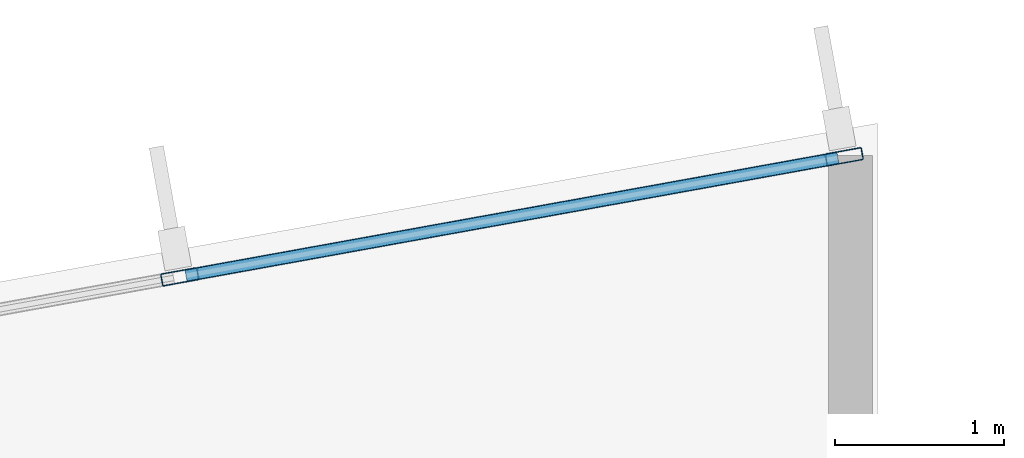
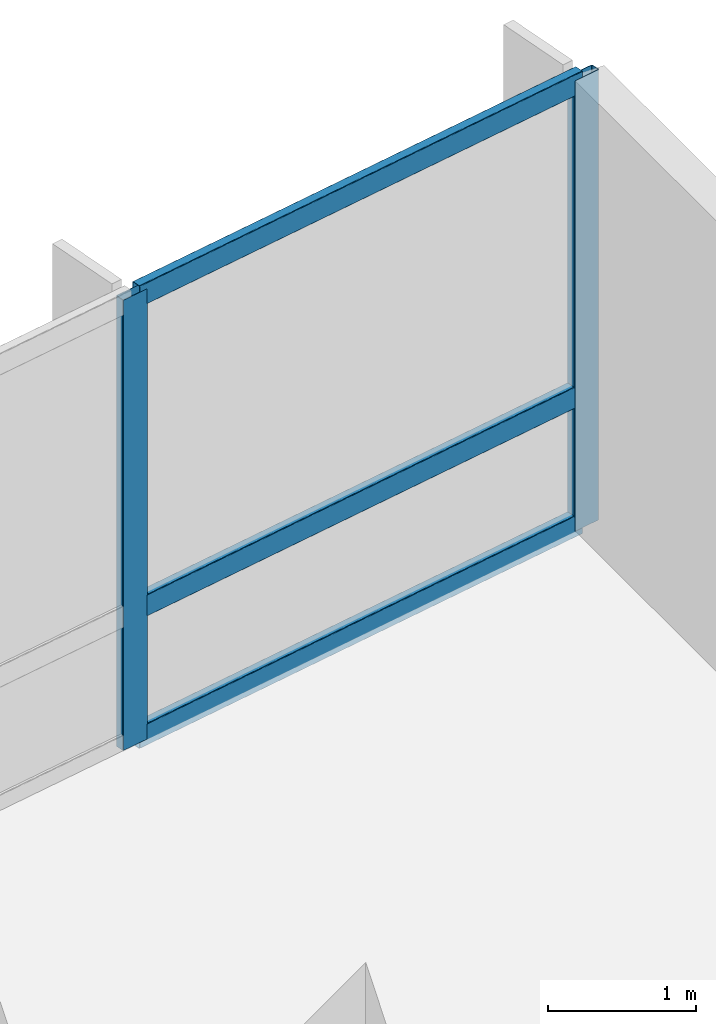
# One storey, part 8 of 18: 5 members, 1 element without a shape of its own.
"""IFC4 building model written with IfcOpenShell, lengths in metres."""

from ifc_helpers import new_model, si_unit, direction, frame, origin, origin_2d, place, context, subcontext, project, spatial, hollow_rectangle, extrude, material, layer, layer_set, material_profile, profile_set, type_object, element, aggregate, save


model = new_model("IFC4")

# Units and contexts
model_context = context("Model", 3, precision=1e-05, world=origin(), true_north=direction((0.0, 1.0)))
body_context = subcontext(model_context, "Body", "Model", "MODEL_VIEW")
ifc_project = project(units=[si_unit("LENGTHUNIT", "METRE"), si_unit("AREAUNIT", "SQUARE_METRE"), si_unit("VOLUMEUNIT", "CUBIC_METRE"), si_unit("PLANEANGLEUNIT", "RADIAN"), si_unit("MASSUNIT", "GRAM", prefix="KILO")], contexts=[model_context])

# Site, building, storey
site_placement = place(None, origin())
site = spatial("IfcSite", under=ifc_project, at=site_placement, CompositionType="ELEMENT")
building_placement = place(site_placement, origin())
building = spatial("IfcBuilding", under=site, at=building_placement, Name="Varnakote Quay Hospital", CompositionType="ELEMENT")
storey_placement = place(building_placement, frame((0.0, 0.0, 69.89990234375)))
storey = spatial("IfcBuildingStorey", under=building, at=storey_placement, Name="L17", CompositionType="ELEMENT", Elevation=69.89990234375)

# Curtain wall, members
ifc_material_1 = material(Name="Anodised aluminium 6063-T6 Bronze", Category="aluminium")
ifc_layer = layer(ifc_material_1, 0.18994140625)
ifc_layer_set = layer_set([ifc_layer], Name="Anodised aluminium 6063-T6 Bronze")
curtain_wall_type = type_object("IfcCurtainWallType", Name="CW-SYS-2", PredefinedType="NOTDEFINED", material=ifc_layer_set)
curtain_wall_placement = place(storey_placement, origin())
curtain_wall = element("IfcCurtainWall", 1, at=curtain_wall_placement, inside=storey, type_object=curtain_wall_type, Name="L17 Unitised Bronze Curtain Wall 1", PredefinedType="NOTDEFINED")
ifc_material_2 = material(Name="Anodised aluminium 6063-T6 Bronze", Category="aluminium")
ifc_material_profile_1 = material_profile(ifc_material_2, hollow_rectangle(XDim=0.074951171875, YDim=0.219970703125, WallThickness=0.00439453125, InnerFilletRadius=0.00439453125, OuterFilletRadius=0.009033203125, at=origin_2d()), Name="CW-MULL-220x75")
ifc_profile_set_1 = profile_set([ifc_material_profile_1], Name="Anodised aluminium 6063-T6 Bronze")
member_type_1 = type_object("IfcMemberType", Name="CW-MULL-220x75", PredefinedType="MULLION", material=ifc_profile_set_1)
member_1_placement = place(storey_placement, frame((55.403076171875, 34.201904296875, 0.0), z_axis=(0.0, 0.0, 1.0), x_axis=(0.177846199098, -0.984058295766, 0.0)))
member_1 = element("IfcMember", 2, at=member_1_placement, type_object=member_type_1, Name="-2-L17-1 mullion 1", PredefinedType="MULLION", context=body_context, shape_type="SweptSolid", body=[
    extrude(hollow_rectangle(XDim=0.074951171875, YDim=0.219970703125, WallThickness=0.00439453125, InnerFilletRadius=0.00439453125, OuterFilletRadius=0.009033203125, at=origin_2d()), origin(), (0.0, 0.0, 1.0), 3.710205078125),
])
member_2_placement = place(storey_placement, frame((51.477294921875, 33.492431640625, 0.0), z_axis=(0.0, 0.0, 1.0), x_axis=(0.177846199098, -0.984058295766, 0.0)))
member_2 = element("IfcMember", 3, at=member_2_placement, type_object=member_type_1, Name="-2-L17-1 mullion 2", PredefinedType="MULLION", context=body_context, shape_type="SweptSolid", body=[
    extrude(hollow_rectangle(XDim=0.074951171875, YDim=0.219970703125, WallThickness=0.00439453125, InnerFilletRadius=0.00439453125, OuterFilletRadius=0.009033203125, at=origin_2d()), origin(), (0.0, 0.0, 1.0), 3.710205078125),
])
ifc_material_3 = material(Name="Anodised aluminium 6063-T6 Bronze", Category="aluminium")
ifc_material_profile_2 = material_profile(ifc_material_3, hollow_rectangle(XDim=0.074951171875, YDim=0.179931640625, WallThickness=0.004150390625, InnerFilletRadius=0.004150390625, OuterFilletRadius=0.00830078125, at=origin_2d()), Name="CW-TRAN-180x75")
ifc_profile_set_2 = profile_set([ifc_material_profile_2], Name="Anodised aluminium 6063-T6 Bronze")
member_type_2 = type_object("IfcMemberType", Name="CW-TRAN-180x75", PredefinedType="USERDEFINED", material=ifc_profile_set_2)
member_3_placement = place(storey_placement, frame((55.3662109375, 34.195068359375, 0.03759765625), z_axis=(-0.984061948229, -0.177825988109, 0.0), x_axis=(0.177825988109, -0.984061948229, 0.0)))
member_3 = element("IfcMember", 4, at=member_3_placement, type_object=member_type_2, Name="-2-L17-1 transom 1.1", ObjectType="TRANSOM", PredefinedType="USERDEFINED", context=body_context, shape_type="SweptSolid", body=[
    extrude(hollow_rectangle(XDim=0.074951171875, YDim=0.179931640625, WallThickness=0.004150390625, InnerFilletRadius=0.004150390625, OuterFilletRadius=0.00830078125, at=origin_2d()), origin(), (0.0, 0.0, 1.0), 3.914306640625),
])
member_4_placement = place(storey_placement, frame((55.3662109375, 34.195068359375, 1.10009765625), z_axis=(-0.984061948229, -0.177825988109, 0.0), x_axis=(0.177825988109, -0.984061948229, 0.0)))
member_4 = element("IfcMember", 5, at=member_4_placement, type_object=member_type_2, Name="-2-L17-1 transom 1.2", ObjectType="TRANSOM", PredefinedType="USERDEFINED", context=body_context, shape_type="SweptSolid", body=[
    extrude(hollow_rectangle(XDim=0.074951171875, YDim=0.179931640625, WallThickness=0.004150390625, InnerFilletRadius=0.004150390625, OuterFilletRadius=0.00830078125, at=origin_2d()), origin(), (0.0, 0.0, 1.0), 3.914306640625),
])
member_5_placement = place(storey_placement, frame((55.3662109375, 34.195068359375, 3.672607421875), z_axis=(-0.984061948229, -0.177825988109, 0.0), x_axis=(0.177825988109, -0.984061948229, 0.0)))
member_5 = element("IfcMember", 6, at=member_5_placement, type_object=member_type_2, Name="-2-L17-1 transom 1.3", ObjectType="TRANSOM", PredefinedType="USERDEFINED", context=body_context, shape_type="SweptSolid", body=[
    extrude(hollow_rectangle(XDim=0.074951171875, YDim=0.179931640625, WallThickness=0.004150390625, InnerFilletRadius=0.004150390625, OuterFilletRadius=0.00830078125, at=origin_2d()), origin(), (0.0, 0.0, 1.0), 3.914306640625),
])
aggregate(curtain_wall, [member_1, member_2, member_3, member_4, member_5])

save(model, "model.ifc")
